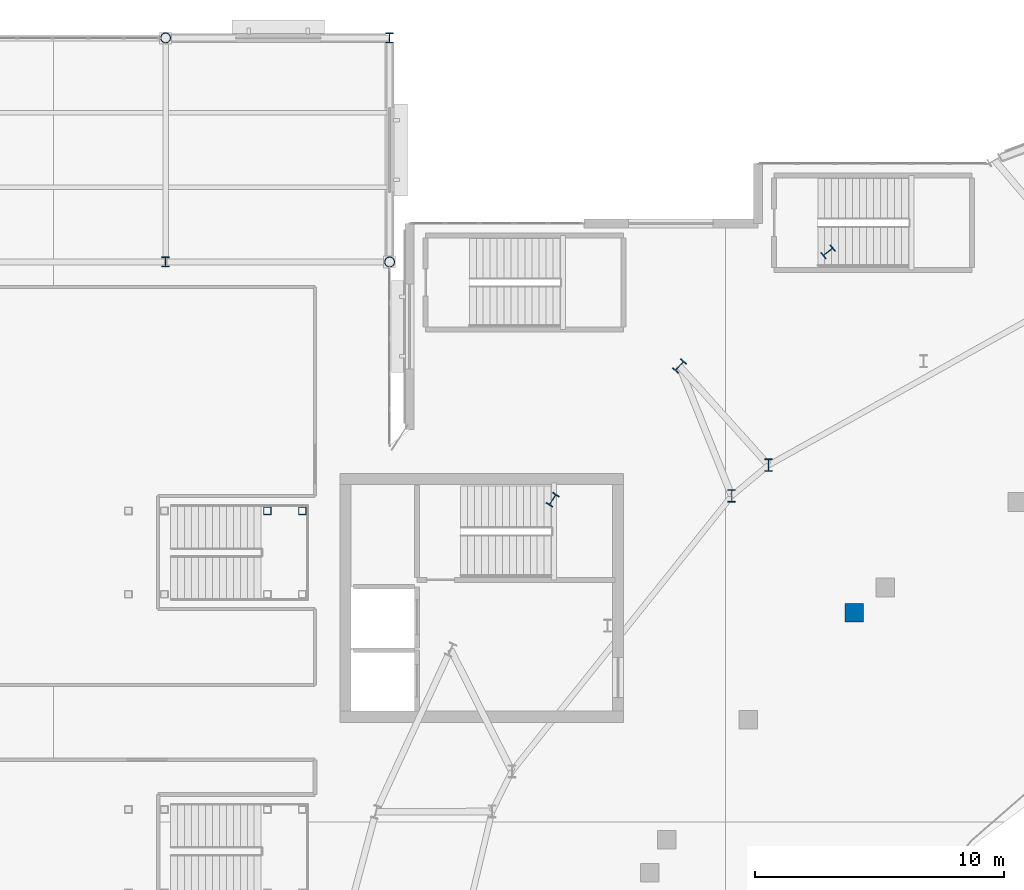
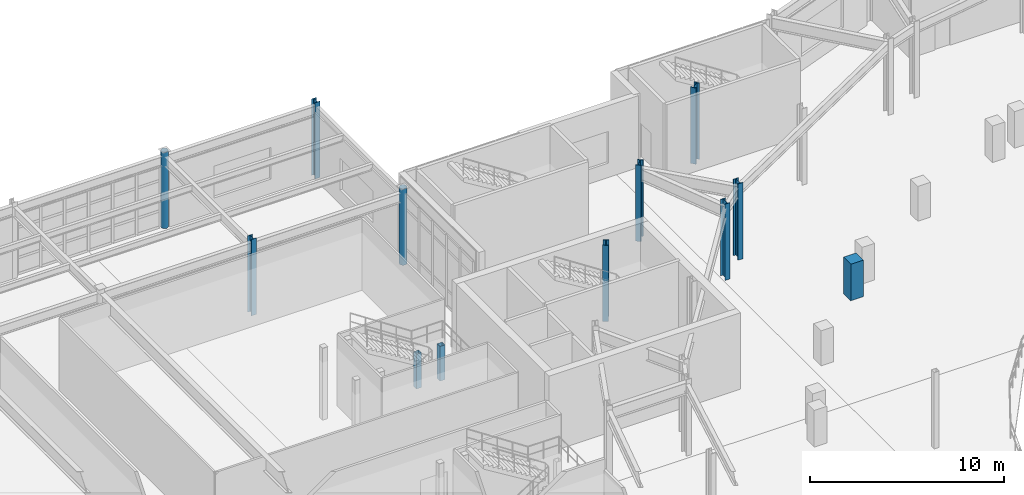
# One storey, part 11 of 84: 12 columns.
"""IFC4 building model written with IfcOpenShell, lengths in metres."""

from ifc_helpers import new_model, si_unit, direction, frame, origin, origin_2d, place, context, subcontext, project, spatial, rectangle, hollow_rectangle, hollow_circle, i_section, extrude, material, material_profile, profile_set, type_object, element, save


model = new_model("IFC4")

# Units and contexts
model_context = context("Model", 3, precision=1e-05, world=origin(), true_north=direction((0.0, 1.0)))
body_context = subcontext(model_context, "Body", "Model", "MODEL_VIEW")
ifc_project = project(units=[si_unit("LENGTHUNIT", "METRE"), si_unit("AREAUNIT", "SQUARE_METRE"), si_unit("VOLUMEUNIT", "CUBIC_METRE"), si_unit("PLANEANGLEUNIT", "RADIAN"), si_unit("MASSUNIT", "GRAM", prefix="KILO")], contexts=[model_context])

# Site, building, storey
site_placement = place(None, origin())
site = spatial("IfcSite", under=ifc_project, at=site_placement, CompositionType="ELEMENT")
building_placement = place(site_placement, origin())
building = spatial("IfcBuilding", under=site, at=building_placement, Name="Glasvene Arena", CompositionType="ELEMENT")
storey_placement = place(building_placement, frame((0.0, 0.0, 10.199951171875)))
storey = spatial("IfcBuildingStorey", under=building, at=storey_placement, Name="L02", CompositionType="ELEMENT", Elevation=10.199951171875)

# Columns
ifc_material_1 = material(Name="Concrete C40/50", Category="concrete")
ifc_material_profile_1 = material_profile(ifc_material_1, rectangle(XDim=0.75, YDim=0.75, at=origin_2d()), Name="RC 750x750")
ifc_profile_set_1 = profile_set([ifc_material_profile_1], Name="Concrete C40/50")
column_type_1 = type_object("IfcColumnType", Name="COL-MID-RC750", PredefinedType="COLUMN", material=ifc_profile_set_1)
column_placement = place(storey_placement, frame((63.65966796875, 94.90087890625, 0.0), z_axis=(0.0, 0.0, 1.0), x_axis=(1.0, 0.0, 0.0)))
element("IfcColumn", 1, at=column_placement, inside=storey, type_object=column_type_1, Name="Mid-bowl fulcrum column L02 07-1", PredefinedType="COLUMN", context=body_context, shape_type="SweptSolid", body=[
    extrude(rectangle(XDim=0.75, YDim=0.75, at=origin_2d()), origin(), (0.0, 0.0, 1.0), 2.300048828125),
])
ifc_material_2 = material(Name="Steel S355J2", Category="steel")
ifc_material_profile_2 = material_profile(ifc_material_2, i_section(OverallWidth=0.305908203125, OverallDepth=0.52392578125, WebThickness=0.02099609375, FlangeThickness=0.0400390625, FilletRadius=0.027099609375, at=origin_2d()), Name="HEM 500")
ifc_profile_set_2 = profile_set([ifc_material_profile_2], Name="Steel S355J2")
column_type_2 = type_object("IfcColumnType", Name="COL-RING-HEM500", PredefinedType="COLUMN", material=ifc_profile_set_2)
for number, where, z_axis, x_axis, name in (
    (2, (62.610595703125, 109.40576171875, 0.0), (0.0, 0.0, 1.0), (-0.628098877137, 0.778133536444, 0.0), "Bowl ring column R15 L02"),
    (3, (56.644775390625, 104.81982421875, 0.0), (0.0, 0.0, 1.0), (-0.74326159948, 0.669000892928, 0.0), "Bowl ring column R16 L02"),
    (4, (51.54931640625, 99.4501953125, 0.0), (0.0, 0.0, 1.0), (-0.836955398099, 0.547271104292, 0.0), "Bowl ring column R17 L02"),
):
    element("IfcColumn", number, at=place(storey_placement, frame(where, z_axis=z_axis, x_axis=x_axis)), inside=storey, type_object=column_type_2, Name=name, PredefinedType="COLUMN", context=body_context, shape_type="SweptSolid", body=[
        extrude(i_section(OverallWidth=0.305908203125, OverallDepth=0.52392578125, WebThickness=0.02099609375, FlangeThickness=0.0400390625, FilletRadius=0.027099609375, at=origin_2d()), origin(), (0.0, 0.0, 1.0), 4.800048828125),
    ])
ifc_material_profile_3 = material_profile(ifc_material_2, hollow_circle(Radius=0.203125, WallThickness=0.01611328125, at=origin_2d()), Name="CHS 406.4x16.0")
ifc_profile_set_3 = profile_set([ifc_material_profile_3], Name="Steel S355J2")
column_type_3 = type_object("IfcColumnType", Name="COL-W-CHS406", PredefinedType="COLUMN", material=ifc_profile_set_3)
for number, where, z_axis, x_axis, name in (
    (5, (36.0, 118.0, 0.0), (0.0, 0.0, 1.0), (1.0, 0.0, 0.0), "Grid column 5-14 L02"),
    (6, (45.0, 109.0, 0.0), (0.0, 0.0, 1.0), (1.0, 0.0, 0.0), "Grid column 6-13 L02"),
):
    element("IfcColumn", number, at=place(storey_placement, frame(where, z_axis=z_axis, x_axis=x_axis)), inside=storey, type_object=column_type_3, Name=name, PredefinedType="COLUMN", context=body_context, shape_type="SweptSolid", body=[
        extrude(hollow_circle(Radius=0.203125, WallThickness=0.01611328125, at=origin_2d()), origin(), (0.0, 0.0, 1.0), 4.800048828125),
    ])
ifc_material_profile_4 = material_profile(ifc_material_2, i_section(OverallWidth=0.300048828125, OverallDepth=0.39990234375, WebThickness=0.013427734375, FlangeThickness=0.02392578125, FilletRadius=0.027099609375, at=origin_2d()), Name="HEB 400")
ifc_profile_set_4 = profile_set([ifc_material_profile_4], Name="Steel S355J2")
column_type_4 = type_object("IfcColumnType", Name="COL-W-HEB400", PredefinedType="COLUMN", material=ifc_profile_set_4)
for number, where, z_axis, x_axis, name in (
    (7, (36.0, 109.0, 0.0), (0.0, 0.0, 1.0), (1.0, 0.0, 0.0), "Grid column 5-13 L02"),
    (8, (45.0, 118.0, 0.0), (0.0, 0.0, 1.0), (1.0, 0.0, 0.0), "Grid column 6-14 L02"),
):
    element("IfcColumn", number, at=place(storey_placement, frame(where, z_axis=z_axis, x_axis=x_axis)), inside=storey, type_object=column_type_4, Name=name, PredefinedType="COLUMN", context=body_context, shape_type="SweptSolid", body=[
        extrude(i_section(OverallWidth=0.300048828125, OverallDepth=0.39990234375, WebThickness=0.013427734375, FlangeThickness=0.02392578125, FilletRadius=0.027099609375, at=origin_2d()), origin(), (0.0, 0.0, 1.0), 4.800048828125),
    ])
ifc_material_profile_5 = material_profile(ifc_material_2, i_section(OverallWidth=0.300048828125, OverallDepth=0.5, WebThickness=0.014404296875, FlangeThickness=0.028076171875, FilletRadius=0.027099609375, at=origin_2d()), Name="HEB 500")
ifc_profile_set_5 = profile_set([ifc_material_profile_5], Name="Steel S355J2")
column_type_5 = type_object("IfcColumnType", Name="COL-W-HEB500", PredefinedType="COLUMN", material=ifc_profile_set_5)
for number, where, z_axis, x_axis, name in (
    (9, (60.219482421875, 100.834228515625, 0.0), (0.0, 0.0, 1.0), (1.0, 0.0, 0.0), "Upper raker rear column L02 06-2"),
    (10, (58.743408203125, 99.59912109375, 0.0), (0.0, 0.0, 1.0), (1.0, 0.0, 0.0), "Upper raker rear column L02 07-1"),
):
    element("IfcColumn", number, at=place(storey_placement, frame(where, z_axis=z_axis, x_axis=x_axis)), inside=storey, type_object=column_type_5, Name=name, PredefinedType="COLUMN", context=body_context, shape_type="SweptSolid", body=[
        extrude(i_section(OverallWidth=0.300048828125, OverallDepth=0.5, WebThickness=0.014404296875, FlangeThickness=0.028076171875, FilletRadius=0.027099609375, at=origin_2d()), origin(), (0.0, 0.0, 1.0), 4.800048828125),
    ])
ifc_material_profile_6 = material_profile(ifc_material_2, hollow_rectangle(XDim=0.300048828125, YDim=0.300048828125, WallThickness=0.012451171875, at=origin_2d()), Name="SHS 300x300x12.5")
ifc_profile_set_6 = profile_set([ifc_material_profile_6], Name="Steel S355J2")
column_type_6 = type_object("IfcColumnType", Name="COL-W-SHS300", PredefinedType="COLUMN", material=ifc_profile_set_6)
for number, where, z_axis, x_axis, name in (
    (11, (40.090087890625, 99.0, 0.0), (0.0, 0.0, 1.0), (1.0, 0.0, 0.0), "Vomitory landing column VOM-06 L02"),
    (12, (41.489990234375, 99.0, 0.0), (0.0, 0.0, 1.0), (1.0, 0.0, 0.0), "Vomitory landing column VOM-06 L02"),
):
    element("IfcColumn", number, at=place(storey_placement, frame(where, z_axis=z_axis, x_axis=x_axis)), inside=storey, type_object=column_type_6, Name=name, PredefinedType="COLUMN", context=body_context, shape_type="SweptSolid", body=[
        extrude(hollow_rectangle(XDim=0.300048828125, YDim=0.300048828125, WallThickness=0.012451171875, at=origin_2d()), origin(), (0.0, 0.0, 1.0), 2.179931640625),
    ])

save(model, "model.ifc")
